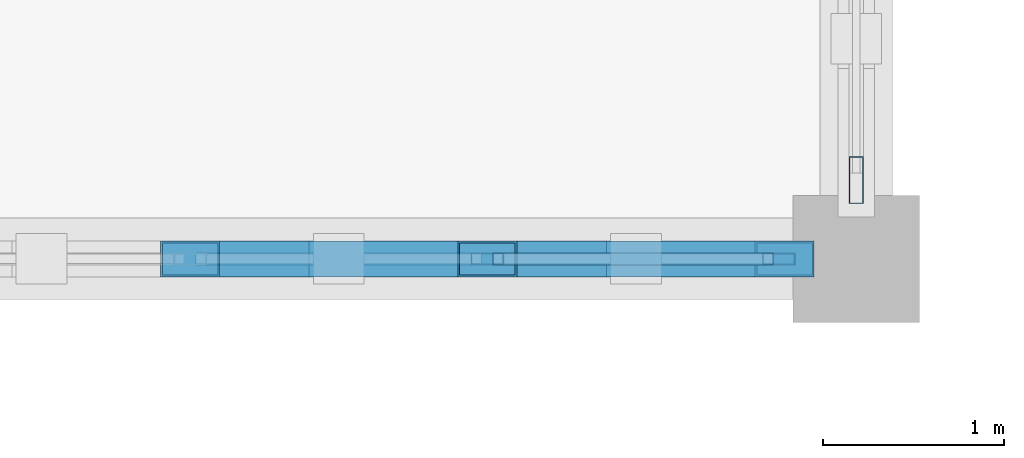
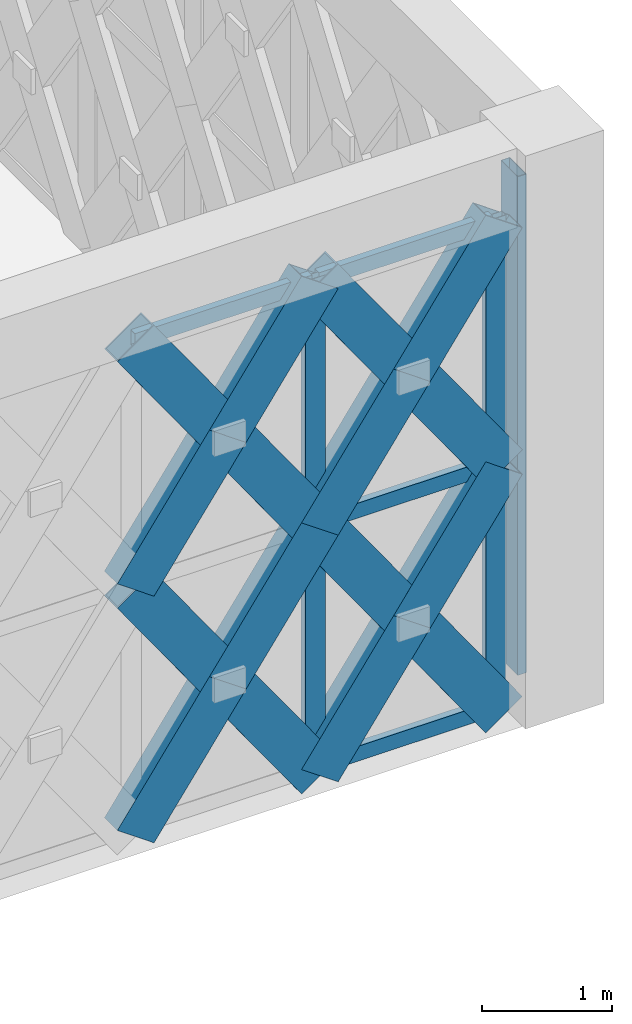
# One storey, part 46 of 72: 19 members, 2 elements without a shape of their own.
"""IFC4 building model written with IfcOpenShell, lengths in metres."""

import ifcopenshell
import ifcopenshell.guid

model = None  # the IFC model being written
_history = None  # IfcOwnerHistory: only IFC2X3 demands one
_inside = {}  # id of a spatial element -> (the spatial element, [elements in it])
_under = {}  # id of a project, library or spatial element -> (it, [spatial elements below it])
_declared = {}  # id of a project -> (the project, [libraries it declares])
_typed = {}  # id of a type object -> (the type object, [elements of that type])
_made_of = {}  # id of a material, layer set ... -> (it, [elements and type objects made of it])


def new_model(schema):
    """Start an empty IFC model of exactly this schema.

    Asked for "IFC4X3", IfcOpenShell would pick the latest addendum, in which some entities
    have other attributes; the version numbers below select the first issue.
    IFC2X3 requires an IfcOwnerHistory on every rooted entity: one is made here for all.
    """
    global model, _history
    if schema == "IFC4X3":
        model = ifcopenshell.file(schema_version=(4, 3, 0, 0))
    else:
        model = ifcopenshell.file(schema=schema)
    _inside.clear()
    _under.clear()
    _declared.clear()
    _typed.clear()
    _made_of.clear()
    _history = None
    if model.schema == "IFC2X3":
        org = make("IfcOrganization", Name="unknown")
        user = make(
            "IfcPersonAndOrganization",
            ThePerson=make("IfcPerson", FamilyName="unknown"),
            TheOrganization=org,
        )
        app = make(
            "IfcApplication",
            ApplicationDeveloper=org,
            Version="unknown",
            ApplicationFullName="unknown",
            ApplicationIdentifier="unknown",
        )
        _history = make(
            "IfcOwnerHistory",
            OwningUser=user,
            OwningApplication=app,
            ChangeAction="ADDED",
            CreationDate=0,
        )
    return model


def make(cls, **values):
    """One entity of the class cls with the attributes given. An attribute that is None is left unset."""
    return model.create_entity(
        cls, **{name: value for name, value in values.items() if value is not None}
    )


def rooted(cls, **values):
    """An entity with a GlobalId (a new one), such as an element, a storey or a relation."""
    return make(cls, GlobalId=ifcopenshell.guid.new(), OwnerHistory=_history, **values)


def si_unit(unit_type, name, prefix=None):
    """IfcSIUnit, for example si_unit("LENGTHUNIT", "METRE", prefix="MILLI")."""
    return make("IfcSIUnit", UnitType=unit_type, Prefix=prefix, Name=name)


def assignment(units):
    """IfcUnitAssignment: the units of a project."""
    return None if units is None else make("IfcUnitAssignment", Units=units)


def point(xyz):
    """IfcCartesianPoint."""
    return None if xyz is None else make("IfcCartesianPoint", Coordinates=xyz)


def direction(xyz):
    """IfcDirection."""
    return None if xyz is None else make("IfcDirection", DirectionRatios=xyz)


def frame(location, z_axis=None, x_axis=None):
    """IfcAxis2Placement3D, a coordinate frame: its origin and axes. An axis left out is left unset."""
    return make(
        "IfcAxis2Placement3D",
        Location=point(location),
        Axis=direction(z_axis),
        RefDirection=direction(x_axis),
    )


def frame_2d(location, x_axis=None):
    """IfcAxis2Placement2D, a coordinate frame in the plane: its origin and x axis."""
    return make(
        "IfcAxis2Placement2D", Location=point(location), RefDirection=direction(x_axis)
    )


def origin():
    """The frame at (0, 0, 0) with its axes left unset."""
    return frame((0.0, 0.0, 0.0))


def origin_2d():
    """The frame at (0, 0) in the plane with its x axis left unset."""
    return frame_2d((0.0, 0.0))


def place(relative_to, where):
    """IfcLocalPlacement: puts the frame where relative to a parent placement (None: the world)."""
    return make(
        "IfcLocalPlacement", PlacementRelTo=relative_to, RelativePlacement=where
    )


def context(
    kind, dimensions, precision=None, world=None, true_north=None, identifier=None
):
    """IfcGeometricRepresentationContext, for example the 3D "Model" context."""
    return make(
        "IfcGeometricRepresentationContext",
        ContextIdentifier=identifier,
        ContextType=kind,
        CoordinateSpaceDimension=dimensions,
        Precision=precision,
        WorldCoordinateSystem=world,
        TrueNorth=true_north,
    )


def subcontext(parent, identifier, kind, view, scale=None):
    """IfcGeometricRepresentationSubContext, for example "Body" below "Model"."""
    return make(
        "IfcGeometricRepresentationSubContext",
        ContextIdentifier=identifier,
        ContextType=kind,
        ParentContext=parent,
        TargetScale=scale,
        TargetView=view,
    )


def project(units=None, contexts=None):
    """IfcProject with its units and contexts."""
    return rooted(
        "IfcProject",
        Name="project",
        RepresentationContexts=contexts,
        UnitsInContext=assignment(units),
    )


def spatial(cls, under=None, at=None, **own):
    """A site, building, storey or space (cls), placed at a placement, below another one or the project."""
    s = rooted(cls, ObjectPlacement=at, **own)
    if under is not None:
        _under.setdefault(under.id(), (under, []))[1].append(s)
    return s


def profile(cls, at=None, kind="AREA", **sizes):
    """A parametric profile (cls). Its sizes go by their IFC names, for example OverallWidth=200.0."""
    return make(cls, ProfileType=kind, Position=at, **sizes)


def hollow_rectangle(**sizes):
    """IfcRectangleHollowProfileDef."""
    return profile("IfcRectangleHollowProfileDef", **sizes)


def extrude(swept, where, along, depth):
    """IfcExtrudedAreaSolid: the profile swept, set in the frame where, extruded along a direction by depth."""
    return make(
        "IfcExtrudedAreaSolid",
        SweptArea=swept,
        Position=where,
        ExtrudedDirection=direction(along),
        Depth=depth,
    )


def shape(context_of_items, identifier, shape_type, items):
    """IfcShapeRepresentation: the items that make up one representation, for example the "Body"."""
    return make(
        "IfcShapeRepresentation",
        ContextOfItems=context_of_items,
        RepresentationIdentifier=identifier,
        RepresentationType=shape_type,
        Items=items,
    )


def material(Name=None, Category=None):
    """IfcMaterial."""
    return make("IfcMaterial", Name=Name, Category=Category)


def material_profile(
    of_material, cross_section, Name=None, Category=None, Priority=None
):
    """IfcMaterialProfile: a cross section and its material."""
    return make(
        "IfcMaterialProfile",
        Name=Name,
        Material=of_material,
        Profile=cross_section,
        Priority=Priority,
        Category=Category,
    )


def profile_set(profiles, Name=None, composite=None):
    """IfcMaterialProfileSet."""
    return make(
        "IfcMaterialProfileSet",
        Name=Name,
        MaterialProfiles=profiles,
        CompositeProfile=composite,
    )


def made_of(thing, what):
    """Note that an element or type object is made of a material, layer set ...; save() writes the relation."""
    if what is not None:
        _made_of.setdefault(what.id(), (what, []))[1].append(thing)
    return thing


def type_object(cls, material=None, **own):
    """A type object (cls), such as IfcWallType, which elements share."""
    return made_of(rooted(cls, **own), material)


def element(
    cls,
    number,
    at=None,
    inside=None,
    cuts=None,
    type_object=None,
    material=None,
    context=None,
    identifier="Body",
    shape_type=None,
    held_by="IfcProductDefinitionShape",
    body=None,
    shapes=None,
    **own,
):
    """One element of the class cls, such as IfcWall. Its Tag is "e" and its number.

    at: its placement. inside: the storey or other place that contains it. cuts: it is an
    opening in that element (IfcRelVoidsElement). A single representation is given by context,
    identifier, shape_type and body (its items); several are given by shapes. held_by: the class
    of the entity that holds the representations. save() writes the other relations.
    """
    e = rooted(cls, Tag="e%d" % number, ObjectPlacement=at, **own)
    if body is not None:
        shapes = [shape(context, identifier, shape_type, body)]
    if shapes is not None:
        e.Representation = make(held_by, Representations=shapes)
    if inside is not None:
        _inside.setdefault(inside.id(), (inside, []))[1].append(e)
    if cuts is not None:
        rooted(
            "IfcRelVoidsElement", RelatingBuildingElement=cuts, RelatedOpeningElement=e
        )
    if type_object is not None:
        _typed.setdefault(type_object.id(), (type_object, []))[1].append(e)
    return made_of(e, material)


def aggregate(whole, parts):
    """IfcRelAggregates: a whole, such as a stair, and the parts it consists of."""
    return rooted("IfcRelAggregates", RelatingObject=whole, RelatedObjects=parts)


def save(model, path):
    """Write the relations noted so far, then the file.

    IfcRelAggregates (storeys below a building ...), IfcRelContainedInSpatialStructure (elements
    in a storey), IfcRelDefinesByType, IfcRelAssociatesMaterial and IfcRelDeclares: one each for
    every whole, place, type object, material and project.
    """
    for whole, parts in _under.values():
        aggregate(whole, parts)
    for where, things in _inside.values():
        rooted(
            "IfcRelContainedInSpatialStructure",
            RelatedElements=things,
            RelatingStructure=where,
        )
    for kind, things in _typed.values():
        rooted("IfcRelDefinesByType", RelatedObjects=things, RelatingType=kind)
    for what, things in _made_of.values():
        rooted("IfcRelAssociatesMaterial", RelatedObjects=things, RelatingMaterial=what)
    for by, libraries in _declared.values():
        rooted("IfcRelDeclares", RelatingContext=by, RelatedDefinitions=libraries)
    model.write(path)


model = new_model("IFC4")

# Units and contexts
model_context = context("Model", 3, precision=1e-05, world=origin(), true_north=direction((0.0, 1.0)))
body_context = subcontext(model_context, "Body", "Model", "MODEL_VIEW")
ifc_project = project(units=[si_unit("LENGTHUNIT", "METRE"), si_unit("AREAUNIT", "SQUARE_METRE"), si_unit("VOLUMEUNIT", "CUBIC_METRE"), si_unit("PLANEANGLEUNIT", "RADIAN"), si_unit("MASSUNIT", "GRAM", prefix="KILO")], contexts=[model_context])

# Site, building, storey
site_placement = place(None, origin())
site = spatial("IfcSite", under=ifc_project, at=site_placement, CompositionType="ELEMENT")
building_placement = place(site_placement, origin())
building = spatial("IfcBuilding", under=site, at=building_placement, Name="Haizhuo Lancet Aquarium", CompositionType="ELEMENT")
storey_placement = place(building_placement, frame((0.0, 0.0, 21.60009765625)))
storey = spatial("IfcBuildingStorey", under=building, at=storey_placement, Name="L04", CompositionType="ELEMENT", Elevation=21.60009765625)

# Curtain wall, members
ifc_material_1 = material(Name="Aluminium 6063-T6", Category="aluminium")
curtain_wall_type_1 = type_object("IfcCurtainWallType", Name="CWD-8210x4650", PredefinedType="NOTDEFINED", material=ifc_material_1)
curtain_wall_1_placement = place(storey_placement, origin())
curtain_wall_1 = element("IfcCurtainWall", 1, at=curtain_wall_1_placement, inside=storey, type_object=curtain_wall_type_1, Name="L04 curtain wall CW-V5-L04-184", PredefinedType="NOTDEFINED")
ifc_material_profile_1 = material_profile(ifc_material_1, hollow_rectangle(XDim=0.06494140625, YDim=0.179931640625, WallThickness=0.00390625, at=origin_2d()), Name="ALU-M 65x180x4")
ifc_profile_set_1 = profile_set([ifc_material_profile_1], Name="Aluminium 6063-T6")
member_type_1 = type_object("IfcMemberType", Name="CW-MUL-1", PredefinedType="MULLION", material=ifc_profile_set_1)
member_1_placement = place(storey_placement, frame((26.572998046875, 36.0, 0.0), z_axis=(0.0, 0.0, 1.0), x_axis=(0.0, -1.0, 0.0)))
member_1 = element("IfcMember", 2, at=member_1_placement, type_object=member_type_1, Name="CWD-82x46 mullion 1", PredefinedType="MULLION", context=body_context, shape_type="SweptSolid", body=[
    extrude(hollow_rectangle(XDim=0.06494140625, YDim=0.179931640625, WallThickness=0.00390625, at=origin_2d()), origin(), (0.0, 0.0, 1.0), 4.64990234375),
])
member_2_placement = place(storey_placement, frame((24.962890625, 36.0, 0.0), z_axis=(0.0, 0.0, 1.0), x_axis=(0.0, -1.0, 0.0)))
member_2 = element("IfcMember", 3, at=member_2_placement, type_object=member_type_1, Name="CWD-82x46 mullion 2", PredefinedType="MULLION", context=body_context, shape_type="SweptSolid", body=[
    extrude(hollow_rectangle(XDim=0.06494140625, YDim=0.179931640625, WallThickness=0.00390625, at=origin_2d()), origin(), (0.0, 0.0, 1.0), 4.64990234375),
])

# Curtain wall, member
curtain_wall_type_2 = type_object("IfcCurtainWallType", Name="CWD-8210x4700", PredefinedType="NOTDEFINED", material=ifc_material_1)
curtain_wall_2_placement = place(storey_placement, origin())
curtain_wall_2 = element("IfcCurtainWall", 4, at=curtain_wall_2_placement, inside=storey, type_object=curtain_wall_type_2, Name="L04 curtain wall CW-V5-L04-183", PredefinedType="NOTDEFINED")
ifc_material_profile_2 = material_profile(ifc_material_1, hollow_rectangle(XDim=0.080078125, YDim=0.260009765625, WallThickness=0.0048828125, at=origin_2d()), Name="ALU-M 80x260x5")
ifc_profile_set_2 = profile_set([ifc_material_profile_2], Name="Aluminium 6063-T6")
member_type_2 = type_object("IfcMemberType", Name="CW-MUL-3", PredefinedType="MULLION", material=ifc_profile_set_2)
member_3_placement = place(storey_placement, frame((27.0, 36.43505859375, 0.0), z_axis=(0.0, 0.0, 1.0), x_axis=(1.0, 0.0, 0.0)))
member_3 = element("IfcMember", 5, at=member_3_placement, type_object=member_type_2, Name="CWD-82x47 mullion 6", PredefinedType="MULLION", context=body_context, shape_type="SweptSolid", body=[
    extrude(hollow_rectangle(XDim=0.080078125, YDim=0.260009765625, WallThickness=0.0048828125, at=origin_2d()), origin(), (0.0, 0.0, 1.0), 4.699951171875),
])
aggregate(curtain_wall_2, [member_3])

# Member
ifc_material_profile_3 = material_profile(ifc_material_1, hollow_rectangle(XDim=0.06494140625, YDim=0.139892578125, WallThickness=0.00390625, at=origin_2d()), Name="ALU-T 65x140x4")
ifc_profile_set_3 = profile_set([ifc_material_profile_3], Name="Aluminium 6063-T6")
member_type_3 = type_object("IfcMemberType", Name="CW-TRN-1", PredefinedType="NOTDEFINED", material=ifc_profile_set_3)
member_4_placement = place(storey_placement, frame((26.5400390625, 36.0, 0.032958984375), z_axis=(-1.0, 0.0, 0.0), x_axis=(0.0, -1.0, 0.0)))
member_4 = element("IfcMember", 6, at=member_4_placement, type_object=member_type_3, Name="CWD-82x46 transom 1.1", ObjectType="TRANSOM", PredefinedType="USERDEFINED", context=body_context, shape_type="SweptSolid", body=[
    extrude(hollow_rectangle(XDim=0.06494140625, YDim=0.139892578125, WallThickness=0.00390625, at=origin_2d()), origin(), (0.0, 0.0, 1.0), 1.544921875),
])

member_5_placement = place(storey_placement, frame((26.5400390625, 36.0, 2.324951171875), z_axis=(-1.0, 0.0, 0.0), x_axis=(0.0, -1.0, 0.0)))
member_5 = element("IfcMember", 7, at=member_5_placement, type_object=member_type_3, Name="CWD-82x46 transom 1.2", ObjectType="TRANSOM", PredefinedType="USERDEFINED", context=body_context, shape_type="SweptSolid", body=[
    extrude(hollow_rectangle(XDim=0.06494140625, YDim=0.139892578125, WallThickness=0.00390625, at=origin_2d()), origin(), (0.0, 0.0, 1.0), 1.544921875),
])

member_6_placement = place(storey_placement, frame((26.5400390625, 36.0, 4.617919921875), z_axis=(-1.0, 0.0, 0.0), x_axis=(0.0, -1.0, 0.0)))
member_6 = element("IfcMember", 8, at=member_6_placement, type_object=member_type_3, Name="CWD-82x46 transom 1.3", ObjectType="TRANSOM", PredefinedType="USERDEFINED", context=body_context, shape_type="SweptSolid", body=[
    extrude(hollow_rectangle(XDim=0.06494140625, YDim=0.139892578125, WallThickness=0.00390625, at=origin_2d()), origin(), (0.0, 0.0, 1.0), 1.544921875),
])

member_7_placement = place(storey_placement, frame((24.930908203125, 36.0, 4.617919921875), z_axis=(-1.0, 0.0, 0.0), x_axis=(0.0, -1.0, 0.0)))
member_7 = element("IfcMember", 9, at=member_7_placement, type_object=member_type_3, Name="CWD-82x46 transom 2.3", ObjectType="TRANSOM", PredefinedType="USERDEFINED", context=body_context, shape_type="SweptSolid", body=[
    extrude(hollow_rectangle(XDim=0.06494140625, YDim=0.139892578125, WallThickness=0.00390625, at=origin_2d()), origin(), (0.0, 0.0, 1.0), 1.576904296875),
])

aggregate(curtain_wall_1, [member_1, member_2, member_4, member_5, member_6, member_7])

# Members
ifc_material_2 = material(Name="Steel S355", Category="steel")
ifc_material_profile_4 = material_profile(ifc_material_2, hollow_rectangle(XDim=0.199951171875, YDim=0.39990234375, WallThickness=0.011962890625, at=origin_2d()), Name="RHS 200x400x12")
ifc_profile_set_4 = profile_set([ifc_material_profile_4], Name="Steel S355")
member_type_4 = type_object("IfcMemberType", Name="MEM-LB-RHS200x400", PredefinedType="BRACE", material=ifc_profile_set_4)
member_8_placement = place(storey_placement, frame((26.60498046875, 36.0, 0.0), z_axis=(-0.576905431865, 0.0, 0.816810946722), x_axis=(0.0, -1.0, 0.0)))
element("IfcMember", 10, at=member_8_placement, inside=storey, type_object=member_type_4, Name="Gothic lancet continuous diagonal brace CW-V5-L04-184 1A", PredefinedType="BRACE", context=body_context, shape_type="SweptSolid", body=[
    extrude(hollow_rectangle(XDim=0.199951171875, YDim=0.39990234375, WallThickness=0.011962890625, at=origin_2d()), origin(), (0.0, 0.0, 1.0), 2.846435546875),
])
member_9_placement = place(storey_placement, frame((24.962890625, 36.0, 0.0), z_axis=(0.576784197237, 0.0, 0.816896560048), x_axis=(0.0, 1.0, 0.0)))
element("IfcMember", 11, at=member_9_placement, inside=storey, type_object=member_type_4, Name="Gothic lancet split diagonal brace CW-V5-L04-184 1B1", PredefinedType="BRACE", context=body_context, shape_type="SweptSolid", body=[
    extrude(hollow_rectangle(XDim=0.199951171875, YDim=0.39990234375, WallThickness=0.011962890625, at=origin_2d()), origin(), (0.0, 0.0, 1.0), 1.423583984375),
])
member_10_placement = place(storey_placement, frame((25.783935546875, 36.0, 1.162841796875), z_axis=(0.57702670475, 0.0, 0.816725279396), x_axis=(0.0, 1.0, 0.0)))
element("IfcMember", 12, at=member_10_placement, inside=storey, type_object=member_type_4, Name="Gothic lancet split diagonal brace CW-V5-L04-184 1B2", PredefinedType="BRACE", context=body_context, shape_type="SweptSolid", body=[
    extrude(hollow_rectangle(XDim=0.199951171875, YDim=0.39990234375, WallThickness=0.011962890625, at=origin_2d()), origin(), (0.0, 0.0, 1.0), 1.4228515625),
])
member_11_placement = place(storey_placement, frame((26.60498046875, 36.0, 2.324951171875), z_axis=(-0.576905431865, 0.0, 0.816810946722), x_axis=(0.0, -1.0, 0.0)))
element("IfcMember", 13, at=member_11_placement, inside=storey, type_object=member_type_4, Name="Gothic lancet continuous diagonal brace CW-V5-L04-184 2A", PredefinedType="BRACE", context=body_context, shape_type="SweptSolid", body=[
    extrude(hollow_rectangle(XDim=0.199951171875, YDim=0.39990234375, WallThickness=0.011962890625, at=origin_2d()), origin(), (0.0, 0.0, 1.0), 2.846435546875),
])
member_12_placement = place(storey_placement, frame((24.962890625, 36.0, 2.324951171875), z_axis=(0.577107574598, 0.0, 0.816668137827), x_axis=(0.0, 1.0, 0.0)))
element("IfcMember", 14, at=member_12_placement, inside=storey, type_object=member_type_4, Name="Gothic lancet split diagonal brace CW-V5-L04-184 2B1", PredefinedType="BRACE", context=body_context, shape_type="SweptSolid", body=[
    extrude(hollow_rectangle(XDim=0.199951171875, YDim=0.39990234375, WallThickness=0.011962890625, at=origin_2d()), origin(), (0.0, 0.0, 1.0), 1.422607421875),
])
member_13_placement = place(storey_placement, frame((25.783935546875, 36.0, 3.48681640625), z_axis=(0.576703395402, 0.0, 0.816953605618), x_axis=(0.0, 1.0, 0.0)))
element("IfcMember", 15, at=member_13_placement, inside=storey, type_object=member_type_4, Name="Gothic lancet split diagonal brace CW-V5-L04-184 2B2", PredefinedType="BRACE", context=body_context, shape_type="SweptSolid", body=[
    extrude(hollow_rectangle(XDim=0.199951171875, YDim=0.39990234375, WallThickness=0.011962890625, at=origin_2d()), origin(), (0.0, 0.0, 1.0), 1.423583984375),
])
member_14_placement = place(storey_placement, frame((24.962890625, 36.0, 0.0), z_axis=(-0.57684820195, 0.0, 0.816851364635), x_axis=(0.0, -1.0, 0.0)))
element("IfcMember", 16, at=member_14_placement, inside=storey, type_object=member_type_4, Name="Gothic lancet continuous diagonal brace CW-V5-L04-184 3A", PredefinedType="BRACE", context=body_context, shape_type="SweptSolid", body=[
    extrude(hollow_rectangle(XDim=0.199951171875, YDim=0.39990234375, WallThickness=0.011962890625, at=origin_2d()), origin(), (0.0, 0.0, 1.0), 2.84619140625),
])
member_15_placement = place(storey_placement, frame((23.321044921875, 36.0, 0.0), z_axis=(0.576784197237, 0.0, 0.816896560048), x_axis=(0.0, 1.0, 0.0)))
element("IfcMember", 17, at=member_15_placement, inside=storey, type_object=member_type_4, Name="Gothic lancet split diagonal brace CW-V5-L04-184 3B1", PredefinedType="BRACE", context=body_context, shape_type="SweptSolid", body=[
    extrude(hollow_rectangle(XDim=0.199951171875, YDim=0.39990234375, WallThickness=0.011962890625, at=origin_2d()), origin(), (0.0, 0.0, 1.0), 1.423583984375),
])
member_16_placement = place(storey_placement, frame((24.14208984375, 36.0, 1.162841796875), z_axis=(0.57691223637, 0.0, 0.816806140726), x_axis=(0.0, 1.0, 0.0)))
element("IfcMember", 18, at=member_16_placement, inside=storey, type_object=member_type_4, Name="Gothic lancet split diagonal brace CW-V5-L04-184 3B2", PredefinedType="BRACE", context=body_context, shape_type="SweptSolid", body=[
    extrude(hollow_rectangle(XDim=0.199951171875, YDim=0.39990234375, WallThickness=0.011962890625, at=origin_2d()), origin(), (0.0, 0.0, 1.0), 1.4228515625),
])
member_17_placement = place(storey_placement, frame((24.962890625, 36.0, 2.324951171875), z_axis=(-0.57684820195, 0.0, 0.816851364635), x_axis=(0.0, -1.0, 0.0)))
element("IfcMember", 19, at=member_17_placement, inside=storey, type_object=member_type_4, Name="Gothic lancet continuous diagonal brace CW-V5-L04-184 4A", PredefinedType="BRACE", context=body_context, shape_type="SweptSolid", body=[
    extrude(hollow_rectangle(XDim=0.199951171875, YDim=0.39990234375, WallThickness=0.011962890625, at=origin_2d()), origin(), (0.0, 0.0, 1.0), 2.84619140625),
])
member_18_placement = place(storey_placement, frame((23.321044921875, 36.0, 2.324951171875), z_axis=(0.577107574598, 0.0, 0.816668137827), x_axis=(0.0, 1.0, 0.0)))
element("IfcMember", 20, at=member_18_placement, inside=storey, type_object=member_type_4, Name="Gothic lancet split diagonal brace CW-V5-L04-184 4B1", PredefinedType="BRACE", context=body_context, shape_type="SweptSolid", body=[
    extrude(hollow_rectangle(XDim=0.199951171875, YDim=0.39990234375, WallThickness=0.011962890625, at=origin_2d()), origin(), (0.0, 0.0, 1.0), 1.422607421875),
])
member_19_placement = place(storey_placement, frame((24.14208984375, 36.0, 3.48681640625), z_axis=(0.576588927202, 0.0, 0.817034398926), x_axis=(0.0, 1.0, 0.0)))
element("IfcMember", 21, at=member_19_placement, inside=storey, type_object=member_type_4, Name="Gothic lancet split diagonal brace CW-V5-L04-184 4B2", PredefinedType="BRACE", context=body_context, shape_type="SweptSolid", body=[
    extrude(hollow_rectangle(XDim=0.199951171875, YDim=0.39990234375, WallThickness=0.011962890625, at=origin_2d()), origin(), (0.0, 0.0, 1.0), 1.423583984375),
])

save(model, "model.ifc")
